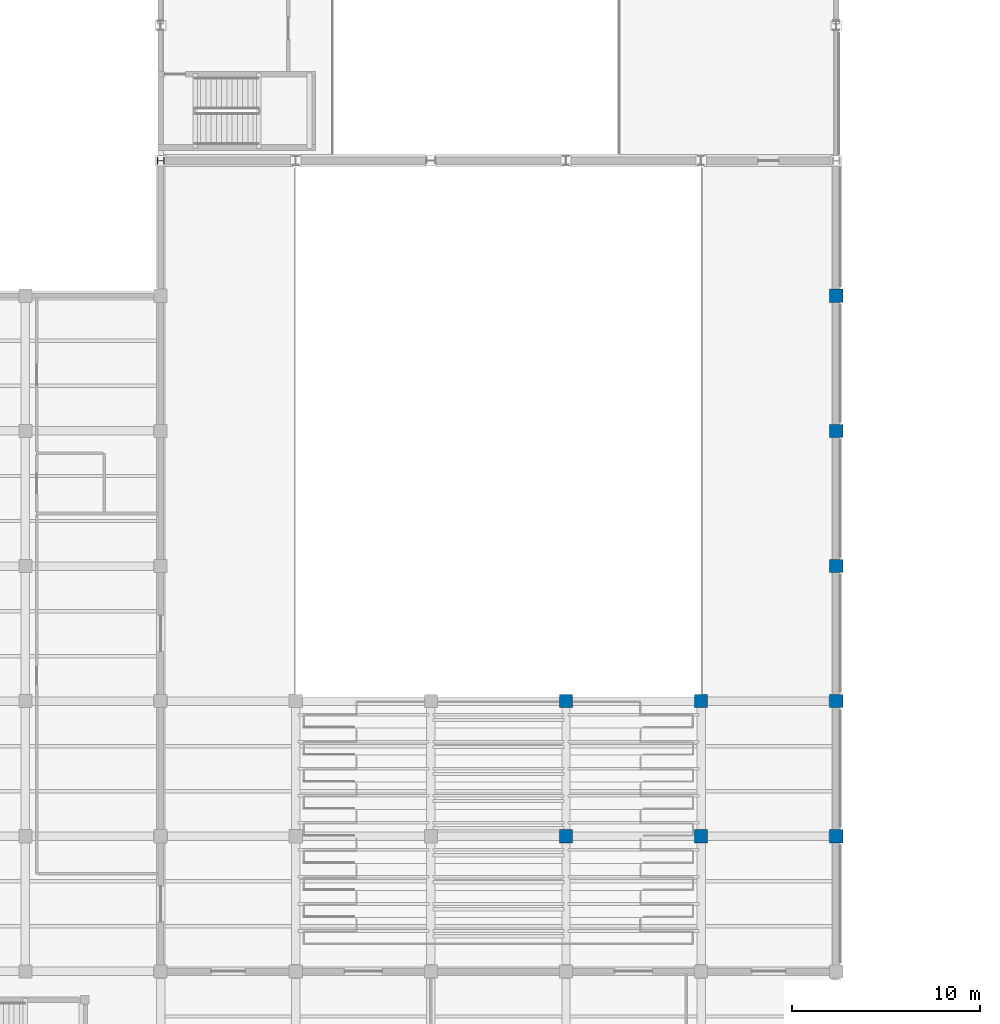
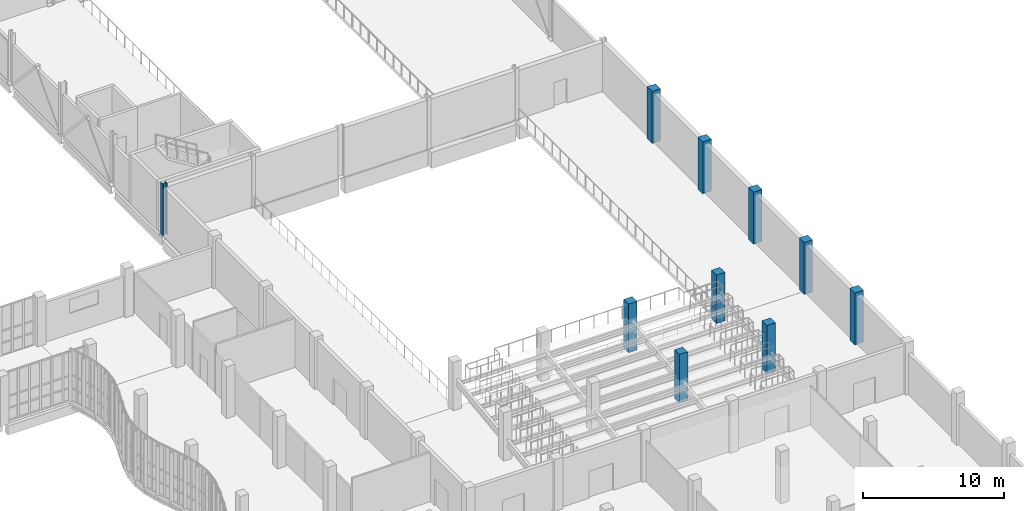
# One storey, part 7 of 108: 10 columns.
"""IFC4 building model written with IfcOpenShell, lengths in metres."""

from ifc_helpers import new_model, si_unit, direction, frame, origin, origin_2d, place, context, subcontext, project, spatial, rectangle, i_section, extrude, material, material_profile, profile_set, type_object, element, save


model = new_model("IFC4")

# Units and contexts
model_context = context("Model", 3, precision=1e-05, world=origin(), true_north=direction((0.0, 1.0)))
body_context = subcontext(model_context, "Body", "Model", "MODEL_VIEW")
ifc_project = project(units=[si_unit("LENGTHUNIT", "METRE"), si_unit("AREAUNIT", "SQUARE_METRE"), si_unit("VOLUMEUNIT", "CUBIC_METRE"), si_unit("PLANEANGLEUNIT", "RADIAN"), si_unit("MASSUNIT", "GRAM", prefix="KILO"), si_unit("THERMODYNAMICTEMPERATUREUNIT", "KELVIN"), si_unit("POWERUNIT", "WATT")], contexts=[model_context])

# Site, building, storey
site_placement = place(None, origin())
site = spatial("IfcSite", under=ifc_project, at=site_placement, CompositionType="ELEMENT")
building_placement = place(site_placement, origin())
building = spatial("IfcBuilding", under=site, at=building_placement, Name="Kaldorven Railside Theatre", CompositionType="ELEMENT")
storey_placement = place(building_placement, frame((0.0, 0.0, 5.39990234375)))
storey = spatial("IfcBuildingStorey", under=building, at=storey_placement, Name="L01", CompositionType="ELEMENT", Elevation=5.39990234375)

# Columns
ifc_material_1 = material(Name="Concrete C40/50", Category="concrete")
ifc_material_profile_1 = material_profile(ifc_material_1, rectangle(XDim=0.699951171875, YDim=0.699951171875, at=origin_2d()), Name="RC 700x700")
ifc_profile_set_1 = profile_set([ifc_material_profile_1], Name="Concrete C40/50")
column_type_1 = type_object("IfcColumnType", Name="COL-RC700", PredefinedType="COLUMN", material=ifc_profile_set_1)
for number, where, z_axis, x_axis, name in (
    (1, (108.800048828125, 48.0, 0.0), (0.0, 0.0, 1.0), (1.0, 0.0, 0.0), "L01 Column CG-L01-108-048"),
    (2, (116.0, 48.0, 0.0), (0.0, 0.0, 1.0), (1.0, 0.0, 0.0), "L01 Column CG-L01-116-048"),
):
    element("IfcColumn", number, at=place(storey_placement, frame(where, z_axis=z_axis, x_axis=x_axis)), inside=storey, type_object=column_type_1, Name=name, PredefinedType="COLUMN", context=body_context, shape_type="SweptSolid", body=[
        extrude(rectangle(XDim=0.699951171875, YDim=0.699951171875, at=origin_2d()), origin(), (0.0, 0.0, 1.0), 4.2001953125),
    ])
column_1_placement = place(storey_placement, frame((123.199951171875, 48.0, 0.0), z_axis=(0.0, 0.0, 1.0), x_axis=(0.0, 1.0, 0.0)))
element("IfcColumn", 3, at=column_1_placement, inside=storey, type_object=column_type_1, Name="L01 Column CG-L01-123-048", PredefinedType="COLUMN", context=body_context, shape_type="SweptSolid", body=[
    extrude(rectangle(XDim=0.699951171875, YDim=0.699951171875, at=origin_2d()), origin(), (0.0, 0.0, 1.0), 4.5),
])
for number, where, z_axis, x_axis, name in (
    (4, (108.800048828125, 55.199951171875, 0.0), (0.0, 0.0, 1.0), (1.0, 0.0, 0.0), "L01 Column CG-L01-108-055"),
    (5, (116.0, 55.199951171875, 0.0), (0.0, 0.0, 1.0), (0.0, 1.0, 0.0), "L01 Column CG-L01-116-055"),
):
    element("IfcColumn", number, at=place(storey_placement, frame(where, z_axis=z_axis, x_axis=x_axis)), inside=storey, type_object=column_type_1, Name=name, PredefinedType="COLUMN", context=body_context, shape_type="SweptSolid", body=[
        extrude(rectangle(XDim=0.699951171875, YDim=0.699951171875, at=origin_2d()), origin(), (0.0, 0.0, 1.0), 4.2001953125),
    ])
for number, where, z_axis, x_axis, name in (
    (6, (123.199951171875, 55.199951171875, 0.0), (0.0, 0.0, 1.0), (1.0, 0.0, 0.0), "L01 Column CG-L01-123-055"),
    (7, (123.199951171875, 62.39990234375, 0.0), (0.0, 0.0, 1.0), (0.0, 1.0, 0.0), "L01 Column CG-L01-123-062"),
    (8, (123.199951171875, 69.60009765625, 0.0), (0.0, 0.0, 1.0), (1.0, 0.0, 0.0), "L01 Column CG-L01-123-069"),
    (9, (123.199951171875, 76.800048828125, 0.0), (0.0, 0.0, 1.0), (1.0, 0.0, 0.0), "L01 Column CG-L01-123-076"),
):
    element("IfcColumn", number, at=place(storey_placement, frame(where, z_axis=z_axis, x_axis=x_axis)), inside=storey, type_object=column_type_1, Name=name, PredefinedType="COLUMN", context=body_context, shape_type="SweptSolid", body=[
        extrude(rectangle(XDim=0.699951171875, YDim=0.699951171875, at=origin_2d()), origin(), (0.0, 0.0, 1.0), 4.5),
    ])
ifc_material_2 = material(Name="Steel S355", Category="steel")
ifc_material_profile_2 = material_profile(ifc_material_2, i_section(OverallWidth=0.37255859375, OverallDepth=0.3681640625, WebThickness=0.014404296875, FlangeThickness=0.023681640625, at=origin_2d()), Name="UC 356x368x177")
ifc_profile_set_2 = profile_set([ifc_material_profile_2], Name="Steel S355")
column_type_2 = type_object("IfcColumnType", Name="COL-UC356", PredefinedType="COLUMN", material=ifc_profile_set_2)
column_2_placement = place(storey_placement, frame((87.199951171875, 84.0, 0.0), z_axis=(0.0, 0.0, 1.0), x_axis=(0.0, 1.0, 0.0)))
element("IfcColumn", 10, at=column_2_placement, inside=storey, type_object=column_type_2, Name="L01 Column CG-L01-087-084", PredefinedType="COLUMN", context=body_context, shape_type="SweptSolid", body=[
    extrude(i_section(OverallWidth=0.37255859375, OverallDepth=0.3681640625, WebThickness=0.014404296875, FlangeThickness=0.023681640625, at=origin_2d()), origin(), (0.0, 0.0, 1.0), 4.5),
])

save(model, "model.ifc")
